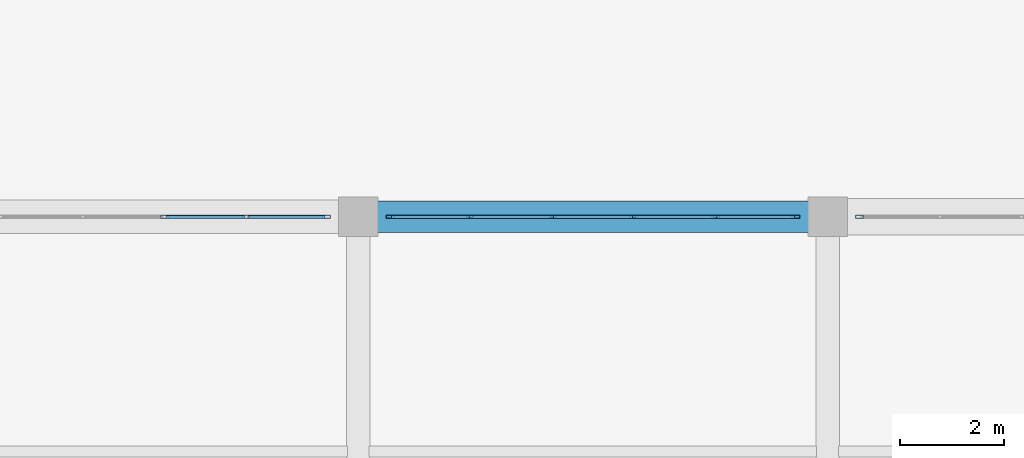
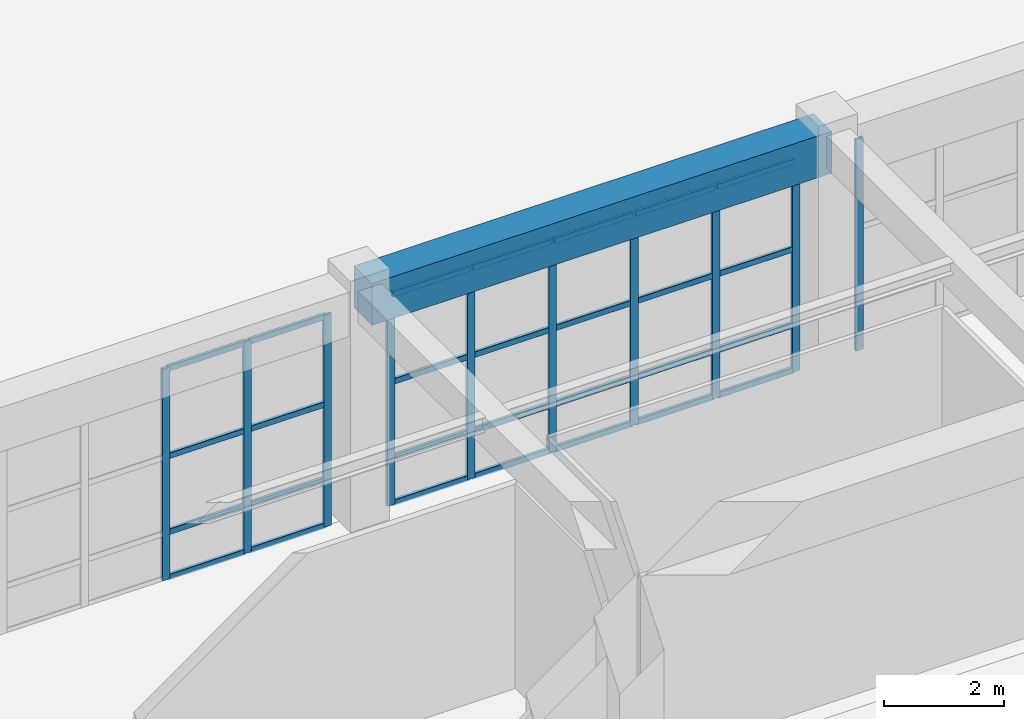
# One storey, part 56 of 128: 38 members, 1 beam, 3 elements without a shape of their own.
"""IFC4 building model written with IfcOpenShell, lengths in metres."""

from ifc_helpers import new_model, si_unit, direction, frame, origin, origin_2d, place, context, subcontext, project, spatial, rectangle, hollow_rectangle, extrude, material, material_profile, profile_set, type_object, element, aggregate, save


model = new_model("IFC4")

# Units and contexts
model_context = context("Model", 3, precision=1e-05, world=origin(), true_north=direction((0.0, 1.0)))
body_context = subcontext(model_context, "Body", "Model", "MODEL_VIEW")
ifc_project = project(units=[si_unit("LENGTHUNIT", "METRE"), si_unit("AREAUNIT", "SQUARE_METRE"), si_unit("VOLUMEUNIT", "CUBIC_METRE"), si_unit("PLANEANGLEUNIT", "RADIAN"), si_unit("MASSUNIT", "GRAM", prefix="KILO")], contexts=[model_context])

# Site, building, storey
site_placement = place(None, origin())
site = spatial("IfcSite", under=ifc_project, at=site_placement, CompositionType="ELEMENT")
building_placement = place(site_placement, origin())
building = spatial("IfcBuilding", under=site, at=building_placement, Name="Miravela Opera House", CompositionType="ELEMENT")
storey_placement = place(building_placement, origin())
storey = spatial("IfcBuildingStorey", under=building, at=storey_placement, Name="L00", CompositionType="ELEMENT", Elevation=0.0)

# Curtain wall, members
ifc_material_1 = material(Name="Anodised architectural bronze aluminium 6063-T6", Category="aluminium")
curtain_wall_type = type_object("IfcCurtainWallType", Name="ARC-CW-04", PredefinedType="NOTDEFINED", material=ifc_material_1)
curtain_wall_1_placement = place(storey_placement, origin())
curtain_wall_1 = element("IfcCurtainWall", 1, at=curtain_wall_1_placement, inside=storey, type_object=curtain_wall_type, Name="Courtyard Arcade Curtain Wall CW-L00-067", PredefinedType="NOTDEFINED")
ifc_material_profile_1 = material_profile(ifc_material_1, hollow_rectangle(XDim=0.06005859375, YDim=0.14990234375, WallThickness=0.00390625, InnerFilletRadius=0.001953125, OuterFilletRadius=0.00390625, at=origin_2d()), Name="CWM-60X150")
ifc_profile_set_1 = profile_set([ifc_material_profile_1])
member_type_1 = type_object("IfcMemberType", Name="ARC-CWM-150", PredefinedType="MULLION", material=ifc_profile_set_1)
member_1_placement = place(storey_placement, frame((32.283935546875, 84.0, 0.0), z_axis=(0.0, 0.0, 1.0), x_axis=(0.0, 1.0, 0.0)))
member_1 = element("IfcMember", 2, at=member_1_placement, type_object=member_type_1, Name="CW-04 mullion 4", PredefinedType="MULLION", context=body_context, shape_type="SweptSolid", body=[
    extrude(hollow_rectangle(XDim=0.06005859375, YDim=0.14990234375, WallThickness=0.00390625, InnerFilletRadius=0.001953125, OuterFilletRadius=0.00390625, at=origin_2d()), origin(), (0.0, 0.0, 1.0), 4.300048828125),
])
member_2_placement = place(storey_placement, frame((33.85205078125, 84.0, 0.0), z_axis=(0.0, 0.0, 1.0), x_axis=(0.0, 1.0, 0.0)))
member_2 = element("IfcMember", 3, at=member_2_placement, type_object=member_type_1, Name="CW-04 mullion 5", PredefinedType="MULLION", context=body_context, shape_type="SweptSolid", body=[
    extrude(hollow_rectangle(XDim=0.06005859375, YDim=0.14990234375, WallThickness=0.00390625, InnerFilletRadius=0.001953125, OuterFilletRadius=0.00390625, at=origin_2d()), origin(), (0.0, 0.0, 1.0), 4.300048828125),
])
member_3_placement = place(storey_placement, frame((35.389892578125, 84.0, 0.0), z_axis=(0.0, 0.0, 1.0), x_axis=(0.0, 1.0, 0.0)))
member_3 = element("IfcMember", 4, at=member_3_placement, type_object=member_type_1, Name="CW-04 mullion 6", PredefinedType="MULLION", context=body_context, shape_type="SweptSolid", body=[
    extrude(hollow_rectangle(XDim=0.06005859375, YDim=0.14990234375, WallThickness=0.00390625, InnerFilletRadius=0.001953125, OuterFilletRadius=0.00390625, at=origin_2d()), origin(), (0.0, 0.0, 1.0), 4.300048828125),
])

curtain_wall_2_placement = place(storey_placement, origin())
curtain_wall_2 = element("IfcCurtainWall", 5, at=curtain_wall_2_placement, inside=storey, type_object=curtain_wall_type, Name="Courtyard Arcade Curtain Wall CW-L00-068", PredefinedType="NOTDEFINED")
member_4_placement = place(storey_placement, frame((36.610107421875, 84.0, 0.0), z_axis=(0.0, 0.0, 1.0), x_axis=(0.0, 1.0, 0.0)))
member_4 = element("IfcMember", 6, at=member_4_placement, type_object=member_type_1, Name="CW-04 mullion 1", PredefinedType="MULLION", context=body_context, shape_type="SweptSolid", body=[
    extrude(hollow_rectangle(XDim=0.06005859375, YDim=0.14990234375, WallThickness=0.00390625, InnerFilletRadius=0.001953125, OuterFilletRadius=0.00390625, at=origin_2d()), origin(), (0.0, 0.0, 1.0), 4.300048828125),
])
member_5_placement = place(storey_placement, frame((38.14794921875, 84.0, 0.0), z_axis=(0.0, 0.0, 1.0), x_axis=(0.0, 1.0, 0.0)))
member_5 = element("IfcMember", 7, at=member_5_placement, type_object=member_type_1, Name="CW-04 mullion 2", PredefinedType="MULLION", context=body_context, shape_type="SweptSolid", body=[
    extrude(hollow_rectangle(XDim=0.06005859375, YDim=0.14990234375, WallThickness=0.00390625, InnerFilletRadius=0.001953125, OuterFilletRadius=0.00390625, at=origin_2d()), origin(), (0.0, 0.0, 1.0), 4.300048828125),
])
member_6_placement = place(storey_placement, frame((39.716064453125, 84.0, 0.0), z_axis=(0.0, 0.0, 1.0), x_axis=(0.0, 1.0, 0.0)))
member_6 = element("IfcMember", 8, at=member_6_placement, type_object=member_type_1, Name="CW-04 mullion 3", PredefinedType="MULLION", context=body_context, shape_type="SweptSolid", body=[
    extrude(hollow_rectangle(XDim=0.06005859375, YDim=0.14990234375, WallThickness=0.00390625, InnerFilletRadius=0.001953125, OuterFilletRadius=0.00390625, at=origin_2d()), origin(), (0.0, 0.0, 1.0), 4.300048828125),
])
member_7_placement = place(storey_placement, frame((41.283935546875, 84.0, 0.0), z_axis=(0.0, 0.0, 1.0), x_axis=(0.0, 1.0, 0.0)))
member_7 = element("IfcMember", 9, at=member_7_placement, type_object=member_type_1, Name="CW-04 mullion 4", PredefinedType="MULLION", context=body_context, shape_type="SweptSolid", body=[
    extrude(hollow_rectangle(XDim=0.06005859375, YDim=0.14990234375, WallThickness=0.00390625, InnerFilletRadius=0.001953125, OuterFilletRadius=0.00390625, at=origin_2d()), origin(), (0.0, 0.0, 1.0), 4.300048828125),
])
member_8_placement = place(storey_placement, frame((42.85205078125, 84.0, 0.0), z_axis=(0.0, 0.0, 1.0), x_axis=(0.0, 1.0, 0.0)))
member_8 = element("IfcMember", 10, at=member_8_placement, type_object=member_type_1, Name="CW-04 mullion 5", PredefinedType="MULLION", context=body_context, shape_type="SweptSolid", body=[
    extrude(hollow_rectangle(XDim=0.06005859375, YDim=0.14990234375, WallThickness=0.00390625, InnerFilletRadius=0.001953125, OuterFilletRadius=0.00390625, at=origin_2d()), origin(), (0.0, 0.0, 1.0), 4.300048828125),
])
member_9_placement = place(storey_placement, frame((44.389892578125, 84.0, 0.0), z_axis=(0.0, 0.0, 1.0), x_axis=(0.0, 1.0, 0.0)))
member_9 = element("IfcMember", 11, at=member_9_placement, type_object=member_type_1, Name="CW-04 mullion 6", PredefinedType="MULLION", context=body_context, shape_type="SweptSolid", body=[
    extrude(hollow_rectangle(XDim=0.06005859375, YDim=0.14990234375, WallThickness=0.00390625, InnerFilletRadius=0.001953125, OuterFilletRadius=0.00390625, at=origin_2d()), origin(), (0.0, 0.0, 1.0), 4.300048828125),
])

# Curtain wall, member
curtain_wall_3_placement = place(storey_placement, origin())
curtain_wall_3 = element("IfcCurtainWall", 12, at=curtain_wall_3_placement, inside=storey, type_object=curtain_wall_type, Name="Courtyard Arcade Curtain Wall CW-L00-069", PredefinedType="NOTDEFINED")
member_10_placement = place(storey_placement, frame((45.610107421875, 84.0, 0.0), z_axis=(0.0, 0.0, 1.0), x_axis=(0.0, 1.0, 0.0)))
member_10 = element("IfcMember", 13, at=member_10_placement, type_object=member_type_1, Name="CW-04 mullion 1", PredefinedType="MULLION", context=body_context, shape_type="SweptSolid", body=[
    extrude(hollow_rectangle(XDim=0.06005859375, YDim=0.14990234375, WallThickness=0.00390625, InnerFilletRadius=0.001953125, OuterFilletRadius=0.00390625, at=origin_2d()), origin(), (0.0, 0.0, 1.0), 4.300048828125),
])
aggregate(curtain_wall_3, [member_10])

# Member
ifc_material_profile_2 = material_profile(ifc_material_1, hollow_rectangle(XDim=0.06005859375, YDim=0.114990234375, WallThickness=0.00390625, InnerFilletRadius=0.001953125, OuterFilletRadius=0.00390625, at=origin_2d()), Name="CWT-60X115")
ifc_profile_set_2 = profile_set([ifc_material_profile_2])
member_type_2 = type_object("IfcMemberType", Name="ARC-CWT-115", PredefinedType="USERDEFINED", material=ifc_profile_set_2)
member_11_placement = place(storey_placement, frame((32.31396484375, 84.0, 0.030029296875), z_axis=(1.0, 0.0, 0.0), x_axis=(0.0, 1.0, 0.0)))
member_11 = element("IfcMember", 14, at=member_11_placement, type_object=member_type_2, Name="CW-04 transom 4.1", ObjectType="TRANSOM", PredefinedType="USERDEFINED", context=body_context, shape_type="SweptSolid", body=[
    extrude(hollow_rectangle(XDim=0.06005859375, YDim=0.114990234375, WallThickness=0.00390625, InnerFilletRadius=0.001953125, OuterFilletRadius=0.00390625, at=origin_2d()), origin(), (0.0, 0.0, 1.0), 1.508056640625),
])

member_12_placement = place(storey_placement, frame((32.31396484375, 84.0, 0.949951171875), z_axis=(1.0, 0.0, 0.0), x_axis=(0.0, 1.0, 0.0)))
member_12 = element("IfcMember", 15, at=member_12_placement, type_object=member_type_2, Name="CW-04 transom 4.2", ObjectType="TRANSOM", PredefinedType="USERDEFINED", context=body_context, shape_type="SweptSolid", body=[
    extrude(hollow_rectangle(XDim=0.06005859375, YDim=0.114990234375, WallThickness=0.00390625, InnerFilletRadius=0.001953125, OuterFilletRadius=0.00390625, at=origin_2d()), origin(), (0.0, 0.0, 1.0), 1.508056640625),
])

member_13_placement = place(storey_placement, frame((32.31396484375, 84.0, 2.493896484375), z_axis=(1.0, 0.0, 0.0), x_axis=(0.0, 1.0, 0.0)))
member_13 = element("IfcMember", 16, at=member_13_placement, type_object=member_type_2, Name="CW-04 transom 4.3", ObjectType="TRANSOM", PredefinedType="USERDEFINED", context=body_context, shape_type="SweptSolid", body=[
    extrude(hollow_rectangle(XDim=0.06005859375, YDim=0.114990234375, WallThickness=0.00390625, InnerFilletRadius=0.001953125, OuterFilletRadius=0.00390625, at=origin_2d()), origin(), (0.0, 0.0, 1.0), 1.508056640625),
])

member_14_placement = place(storey_placement, frame((32.31396484375, 84.0, 4.27001953125), z_axis=(1.0, 0.0, 0.0), x_axis=(0.0, 1.0, 0.0)))
member_14 = element("IfcMember", 17, at=member_14_placement, type_object=member_type_2, Name="CW-04 transom 4.4", ObjectType="TRANSOM", PredefinedType="USERDEFINED", context=body_context, shape_type="SweptSolid", body=[
    extrude(hollow_rectangle(XDim=0.06005859375, YDim=0.114990234375, WallThickness=0.00390625, InnerFilletRadius=0.001953125, OuterFilletRadius=0.00390625, at=origin_2d()), origin(), (0.0, 0.0, 1.0), 1.508056640625),
])

member_15_placement = place(storey_placement, frame((33.882080078125, 84.0, 0.030029296875), z_axis=(1.0, 0.0, 0.0), x_axis=(0.0, 1.0, 0.0)))
member_15 = element("IfcMember", 18, at=member_15_placement, type_object=member_type_2, Name="CW-04 transom 5.1", ObjectType="TRANSOM", PredefinedType="USERDEFINED", context=body_context, shape_type="SweptSolid", body=[
    extrude(hollow_rectangle(XDim=0.06005859375, YDim=0.114990234375, WallThickness=0.00390625, InnerFilletRadius=0.001953125, OuterFilletRadius=0.00390625, at=origin_2d()), origin(), (0.0, 0.0, 1.0), 1.47802734375),
])

member_16_placement = place(storey_placement, frame((33.882080078125, 84.0, 0.949951171875), z_axis=(1.0, 0.0, 0.0), x_axis=(0.0, 1.0, 0.0)))
member_16 = element("IfcMember", 19, at=member_16_placement, type_object=member_type_2, Name="CW-04 transom 5.2", ObjectType="TRANSOM", PredefinedType="USERDEFINED", context=body_context, shape_type="SweptSolid", body=[
    extrude(hollow_rectangle(XDim=0.06005859375, YDim=0.114990234375, WallThickness=0.00390625, InnerFilletRadius=0.001953125, OuterFilletRadius=0.00390625, at=origin_2d()), origin(), (0.0, 0.0, 1.0), 1.47802734375),
])

member_17_placement = place(storey_placement, frame((33.882080078125, 84.0, 2.493896484375), z_axis=(1.0, 0.0, 0.0), x_axis=(0.0, 1.0, 0.0)))
member_17 = element("IfcMember", 20, at=member_17_placement, type_object=member_type_2, Name="CW-04 transom 5.3", ObjectType="TRANSOM", PredefinedType="USERDEFINED", context=body_context, shape_type="SweptSolid", body=[
    extrude(hollow_rectangle(XDim=0.06005859375, YDim=0.114990234375, WallThickness=0.00390625, InnerFilletRadius=0.001953125, OuterFilletRadius=0.00390625, at=origin_2d()), origin(), (0.0, 0.0, 1.0), 1.47802734375),
])

member_18_placement = place(storey_placement, frame((33.882080078125, 84.0, 4.27001953125), z_axis=(1.0, 0.0, 0.0), x_axis=(0.0, 1.0, 0.0)))
member_18 = element("IfcMember", 21, at=member_18_placement, type_object=member_type_2, Name="CW-04 transom 5.4", ObjectType="TRANSOM", PredefinedType="USERDEFINED", context=body_context, shape_type="SweptSolid", body=[
    extrude(hollow_rectangle(XDim=0.06005859375, YDim=0.114990234375, WallThickness=0.00390625, InnerFilletRadius=0.001953125, OuterFilletRadius=0.00390625, at=origin_2d()), origin(), (0.0, 0.0, 1.0), 1.47802734375),
])

aggregate(curtain_wall_1, [member_1, member_2, member_3, member_11, member_12, member_13, member_14, member_15, member_16, member_17, member_18])

member_19_placement = place(storey_placement, frame((36.639892578125, 84.0, 0.030029296875), z_axis=(1.0, 0.0, 0.0), x_axis=(0.0, 1.0, 0.0)))
member_19 = element("IfcMember", 22, at=member_19_placement, type_object=member_type_2, Name="CW-04 transom 1.1", ObjectType="TRANSOM", PredefinedType="USERDEFINED", context=body_context, shape_type="SweptSolid", body=[
    extrude(hollow_rectangle(XDim=0.06005859375, YDim=0.114990234375, WallThickness=0.00390625, InnerFilletRadius=0.001953125, OuterFilletRadius=0.00390625, at=origin_2d()), origin(), (0.0, 0.0, 1.0), 1.47802734375),
])

member_20_placement = place(storey_placement, frame((36.639892578125, 84.0, 0.949951171875), z_axis=(1.0, 0.0, 0.0), x_axis=(0.0, 1.0, 0.0)))
member_20 = element("IfcMember", 23, at=member_20_placement, type_object=member_type_2, Name="CW-04 transom 1.2", ObjectType="TRANSOM", PredefinedType="USERDEFINED", context=body_context, shape_type="SweptSolid", body=[
    extrude(hollow_rectangle(XDim=0.06005859375, YDim=0.114990234375, WallThickness=0.00390625, InnerFilletRadius=0.001953125, OuterFilletRadius=0.00390625, at=origin_2d()), origin(), (0.0, 0.0, 1.0), 1.47802734375),
])

member_21_placement = place(storey_placement, frame((36.639892578125, 84.0, 2.493896484375), z_axis=(1.0, 0.0, 0.0), x_axis=(0.0, 1.0, 0.0)))
member_21 = element("IfcMember", 24, at=member_21_placement, type_object=member_type_2, Name="CW-04 transom 1.3", ObjectType="TRANSOM", PredefinedType="USERDEFINED", context=body_context, shape_type="SweptSolid", body=[
    extrude(hollow_rectangle(XDim=0.06005859375, YDim=0.114990234375, WallThickness=0.00390625, InnerFilletRadius=0.001953125, OuterFilletRadius=0.00390625, at=origin_2d()), origin(), (0.0, 0.0, 1.0), 1.47802734375),
])

member_22_placement = place(storey_placement, frame((36.639892578125, 84.0, 4.27001953125), z_axis=(1.0, 0.0, 0.0), x_axis=(0.0, 1.0, 0.0)))
member_22 = element("IfcMember", 25, at=member_22_placement, type_object=member_type_2, Name="CW-04 transom 1.4", ObjectType="TRANSOM", PredefinedType="USERDEFINED", context=body_context, shape_type="SweptSolid", body=[
    extrude(hollow_rectangle(XDim=0.06005859375, YDim=0.114990234375, WallThickness=0.00390625, InnerFilletRadius=0.001953125, OuterFilletRadius=0.00390625, at=origin_2d()), origin(), (0.0, 0.0, 1.0), 1.47802734375),
])

member_23_placement = place(storey_placement, frame((38.177978515625, 84.0, 0.030029296875), z_axis=(1.0, 0.0, 0.0), x_axis=(0.0, 1.0, 0.0)))
member_23 = element("IfcMember", 26, at=member_23_placement, type_object=member_type_2, Name="CW-04 transom 2.1", ObjectType="TRANSOM", PredefinedType="USERDEFINED", context=body_context, shape_type="SweptSolid", body=[
    extrude(hollow_rectangle(XDim=0.06005859375, YDim=0.114990234375, WallThickness=0.00390625, InnerFilletRadius=0.001953125, OuterFilletRadius=0.00390625, at=origin_2d()), origin(), (0.0, 0.0, 1.0), 1.508056640625),
])

member_24_placement = place(storey_placement, frame((38.177978515625, 84.0, 0.949951171875), z_axis=(1.0, 0.0, 0.0), x_axis=(0.0, 1.0, 0.0)))
member_24 = element("IfcMember", 27, at=member_24_placement, type_object=member_type_2, Name="CW-04 transom 2.2", ObjectType="TRANSOM", PredefinedType="USERDEFINED", context=body_context, shape_type="SweptSolid", body=[
    extrude(hollow_rectangle(XDim=0.06005859375, YDim=0.114990234375, WallThickness=0.00390625, InnerFilletRadius=0.001953125, OuterFilletRadius=0.00390625, at=origin_2d()), origin(), (0.0, 0.0, 1.0), 1.508056640625),
])

member_25_placement = place(storey_placement, frame((38.177978515625, 84.0, 2.493896484375), z_axis=(1.0, 0.0, 0.0), x_axis=(0.0, 1.0, 0.0)))
member_25 = element("IfcMember", 28, at=member_25_placement, type_object=member_type_2, Name="CW-04 transom 2.3", ObjectType="TRANSOM", PredefinedType="USERDEFINED", context=body_context, shape_type="SweptSolid", body=[
    extrude(hollow_rectangle(XDim=0.06005859375, YDim=0.114990234375, WallThickness=0.00390625, InnerFilletRadius=0.001953125, OuterFilletRadius=0.00390625, at=origin_2d()), origin(), (0.0, 0.0, 1.0), 1.508056640625),
])

member_26_placement = place(storey_placement, frame((38.177978515625, 84.0, 4.27001953125), z_axis=(1.0, 0.0, 0.0), x_axis=(0.0, 1.0, 0.0)))
member_26 = element("IfcMember", 29, at=member_26_placement, type_object=member_type_2, Name="CW-04 transom 2.4", ObjectType="TRANSOM", PredefinedType="USERDEFINED", context=body_context, shape_type="SweptSolid", body=[
    extrude(hollow_rectangle(XDim=0.06005859375, YDim=0.114990234375, WallThickness=0.00390625, InnerFilletRadius=0.001953125, OuterFilletRadius=0.00390625, at=origin_2d()), origin(), (0.0, 0.0, 1.0), 1.508056640625),
])

member_27_placement = place(storey_placement, frame((39.74609375, 84.0, 0.030029296875), z_axis=(1.0, 0.0, 0.0), x_axis=(0.0, 1.0, 0.0)))
member_27 = element("IfcMember", 30, at=member_27_placement, type_object=member_type_2, Name="CW-04 transom 3.1", ObjectType="TRANSOM", PredefinedType="USERDEFINED", context=body_context, shape_type="SweptSolid", body=[
    extrude(hollow_rectangle(XDim=0.06005859375, YDim=0.114990234375, WallThickness=0.00390625, InnerFilletRadius=0.001953125, OuterFilletRadius=0.00390625, at=origin_2d()), origin(), (0.0, 0.0, 1.0), 1.5078125),
])

member_28_placement = place(storey_placement, frame((39.74609375, 84.0, 0.949951171875), z_axis=(1.0, 0.0, 0.0), x_axis=(0.0, 1.0, 0.0)))
member_28 = element("IfcMember", 31, at=member_28_placement, type_object=member_type_2, Name="CW-04 transom 3.2", ObjectType="TRANSOM", PredefinedType="USERDEFINED", context=body_context, shape_type="SweptSolid", body=[
    extrude(hollow_rectangle(XDim=0.06005859375, YDim=0.114990234375, WallThickness=0.00390625, InnerFilletRadius=0.001953125, OuterFilletRadius=0.00390625, at=origin_2d()), origin(), (0.0, 0.0, 1.0), 1.5078125),
])

member_29_placement = place(storey_placement, frame((39.74609375, 84.0, 2.493896484375), z_axis=(1.0, 0.0, 0.0), x_axis=(0.0, 1.0, 0.0)))
member_29 = element("IfcMember", 32, at=member_29_placement, type_object=member_type_2, Name="CW-04 transom 3.3", ObjectType="TRANSOM", PredefinedType="USERDEFINED", context=body_context, shape_type="SweptSolid", body=[
    extrude(hollow_rectangle(XDim=0.06005859375, YDim=0.114990234375, WallThickness=0.00390625, InnerFilletRadius=0.001953125, OuterFilletRadius=0.00390625, at=origin_2d()), origin(), (0.0, 0.0, 1.0), 1.5078125),
])

member_30_placement = place(storey_placement, frame((39.74609375, 84.0, 4.27001953125), z_axis=(1.0, 0.0, 0.0), x_axis=(0.0, 1.0, 0.0)))
member_30 = element("IfcMember", 33, at=member_30_placement, type_object=member_type_2, Name="CW-04 transom 3.4", ObjectType="TRANSOM", PredefinedType="USERDEFINED", context=body_context, shape_type="SweptSolid", body=[
    extrude(hollow_rectangle(XDim=0.06005859375, YDim=0.114990234375, WallThickness=0.00390625, InnerFilletRadius=0.001953125, OuterFilletRadius=0.00390625, at=origin_2d()), origin(), (0.0, 0.0, 1.0), 1.5078125),
])

member_31_placement = place(storey_placement, frame((41.31396484375, 84.0, 0.030029296875), z_axis=(1.0, 0.0, 0.0), x_axis=(0.0, 1.0, 0.0)))
member_31 = element("IfcMember", 34, at=member_31_placement, type_object=member_type_2, Name="CW-04 transom 4.1", ObjectType="TRANSOM", PredefinedType="USERDEFINED", context=body_context, shape_type="SweptSolid", body=[
    extrude(hollow_rectangle(XDim=0.06005859375, YDim=0.114990234375, WallThickness=0.00390625, InnerFilletRadius=0.001953125, OuterFilletRadius=0.00390625, at=origin_2d()), origin(), (0.0, 0.0, 1.0), 1.508056640625),
])

member_32_placement = place(storey_placement, frame((41.31396484375, 84.0, 0.949951171875), z_axis=(1.0, 0.0, 0.0), x_axis=(0.0, 1.0, 0.0)))
member_32 = element("IfcMember", 35, at=member_32_placement, type_object=member_type_2, Name="CW-04 transom 4.2", ObjectType="TRANSOM", PredefinedType="USERDEFINED", context=body_context, shape_type="SweptSolid", body=[
    extrude(hollow_rectangle(XDim=0.06005859375, YDim=0.114990234375, WallThickness=0.00390625, InnerFilletRadius=0.001953125, OuterFilletRadius=0.00390625, at=origin_2d()), origin(), (0.0, 0.0, 1.0), 1.508056640625),
])

member_33_placement = place(storey_placement, frame((41.31396484375, 84.0, 2.493896484375), z_axis=(1.0, 0.0, 0.0), x_axis=(0.0, 1.0, 0.0)))
member_33 = element("IfcMember", 36, at=member_33_placement, type_object=member_type_2, Name="CW-04 transom 4.3", ObjectType="TRANSOM", PredefinedType="USERDEFINED", context=body_context, shape_type="SweptSolid", body=[
    extrude(hollow_rectangle(XDim=0.06005859375, YDim=0.114990234375, WallThickness=0.00390625, InnerFilletRadius=0.001953125, OuterFilletRadius=0.00390625, at=origin_2d()), origin(), (0.0, 0.0, 1.0), 1.508056640625),
])

member_34_placement = place(storey_placement, frame((41.31396484375, 84.0, 4.27001953125), z_axis=(1.0, 0.0, 0.0), x_axis=(0.0, 1.0, 0.0)))
member_34 = element("IfcMember", 37, at=member_34_placement, type_object=member_type_2, Name="CW-04 transom 4.4", ObjectType="TRANSOM", PredefinedType="USERDEFINED", context=body_context, shape_type="SweptSolid", body=[
    extrude(hollow_rectangle(XDim=0.06005859375, YDim=0.114990234375, WallThickness=0.00390625, InnerFilletRadius=0.001953125, OuterFilletRadius=0.00390625, at=origin_2d()), origin(), (0.0, 0.0, 1.0), 1.508056640625),
])

member_35_placement = place(storey_placement, frame((42.882080078125, 84.0, 0.030029296875), z_axis=(1.0, 0.0, 0.0), x_axis=(0.0, 1.0, 0.0)))
member_35 = element("IfcMember", 38, at=member_35_placement, type_object=member_type_2, Name="CW-04 transom 5.1", ObjectType="TRANSOM", PredefinedType="USERDEFINED", context=body_context, shape_type="SweptSolid", body=[
    extrude(hollow_rectangle(XDim=0.06005859375, YDim=0.114990234375, WallThickness=0.00390625, InnerFilletRadius=0.001953125, OuterFilletRadius=0.00390625, at=origin_2d()), origin(), (0.0, 0.0, 1.0), 1.47802734375),
])

member_36_placement = place(storey_placement, frame((42.882080078125, 84.0, 0.949951171875), z_axis=(1.0, 0.0, 0.0), x_axis=(0.0, 1.0, 0.0)))
member_36 = element("IfcMember", 39, at=member_36_placement, type_object=member_type_2, Name="CW-04 transom 5.2", ObjectType="TRANSOM", PredefinedType="USERDEFINED", context=body_context, shape_type="SweptSolid", body=[
    extrude(hollow_rectangle(XDim=0.06005859375, YDim=0.114990234375, WallThickness=0.00390625, InnerFilletRadius=0.001953125, OuterFilletRadius=0.00390625, at=origin_2d()), origin(), (0.0, 0.0, 1.0), 1.47802734375),
])

member_37_placement = place(storey_placement, frame((42.882080078125, 84.0, 2.493896484375), z_axis=(1.0, 0.0, 0.0), x_axis=(0.0, 1.0, 0.0)))
member_37 = element("IfcMember", 40, at=member_37_placement, type_object=member_type_2, Name="CW-04 transom 5.3", ObjectType="TRANSOM", PredefinedType="USERDEFINED", context=body_context, shape_type="SweptSolid", body=[
    extrude(hollow_rectangle(XDim=0.06005859375, YDim=0.114990234375, WallThickness=0.00390625, InnerFilletRadius=0.001953125, OuterFilletRadius=0.00390625, at=origin_2d()), origin(), (0.0, 0.0, 1.0), 1.47802734375),
])

member_38_placement = place(storey_placement, frame((42.882080078125, 84.0, 4.27001953125), z_axis=(1.0, 0.0, 0.0), x_axis=(0.0, 1.0, 0.0)))
member_38 = element("IfcMember", 41, at=member_38_placement, type_object=member_type_2, Name="CW-04 transom 5.4", ObjectType="TRANSOM", PredefinedType="USERDEFINED", context=body_context, shape_type="SweptSolid", body=[
    extrude(hollow_rectangle(XDim=0.06005859375, YDim=0.114990234375, WallThickness=0.00390625, InnerFilletRadius=0.001953125, OuterFilletRadius=0.00390625, at=origin_2d()), origin(), (0.0, 0.0, 1.0), 1.47802734375),
])

aggregate(curtain_wall_2, [member_4, member_5, member_6, member_7, member_8, member_9, member_19, member_20, member_21, member_22, member_23, member_24, member_25, member_26, member_27, member_28, member_29, member_30, member_31, member_32, member_33, member_34, member_35, member_36, member_37, member_38])

# Beam
ifc_material_2 = material(Name="Concrete C40/50", Category="concrete")
ifc_material_profile_3 = material_profile(ifc_material_2, rectangle(XDim=0.60009765625, YDim=0.85009765625, at=origin_2d()), Name="RC-BM-600X850")
ifc_profile_set_3 = profile_set([ifc_material_profile_3])
beam_type = type_object("IfcBeamType", Name="STR-BM-RC600X850", PredefinedType="BEAM", material=ifc_profile_set_3)
beam_placement = place(storey_placement, frame((36.080078125, 84.0, 4.425048828125), z_axis=(1.0, 0.0, 0.0), x_axis=(0.0, 1.0, 0.0)))
element("IfcBeam", 42, at=beam_placement, inside=storey, type_object=beam_type, Name="Floor Girder L00 5-6/J", PredefinedType="BEAM", context=body_context, shape_type="SweptSolid", body=[
    extrude(rectangle(XDim=0.60009765625, YDim=0.85009765625, at=origin_2d()), origin(), (0.0, 0.0, 1.0), 8.83984375),
])

save(model, "model.ifc")
